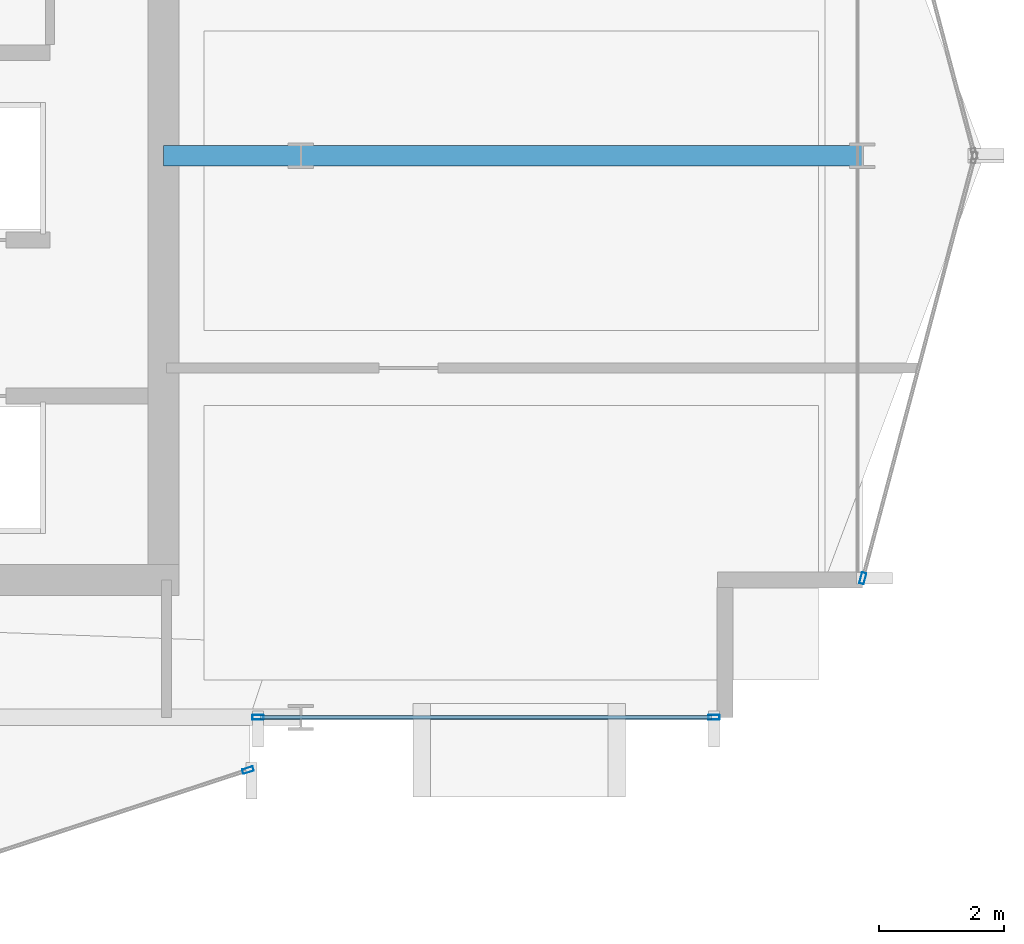
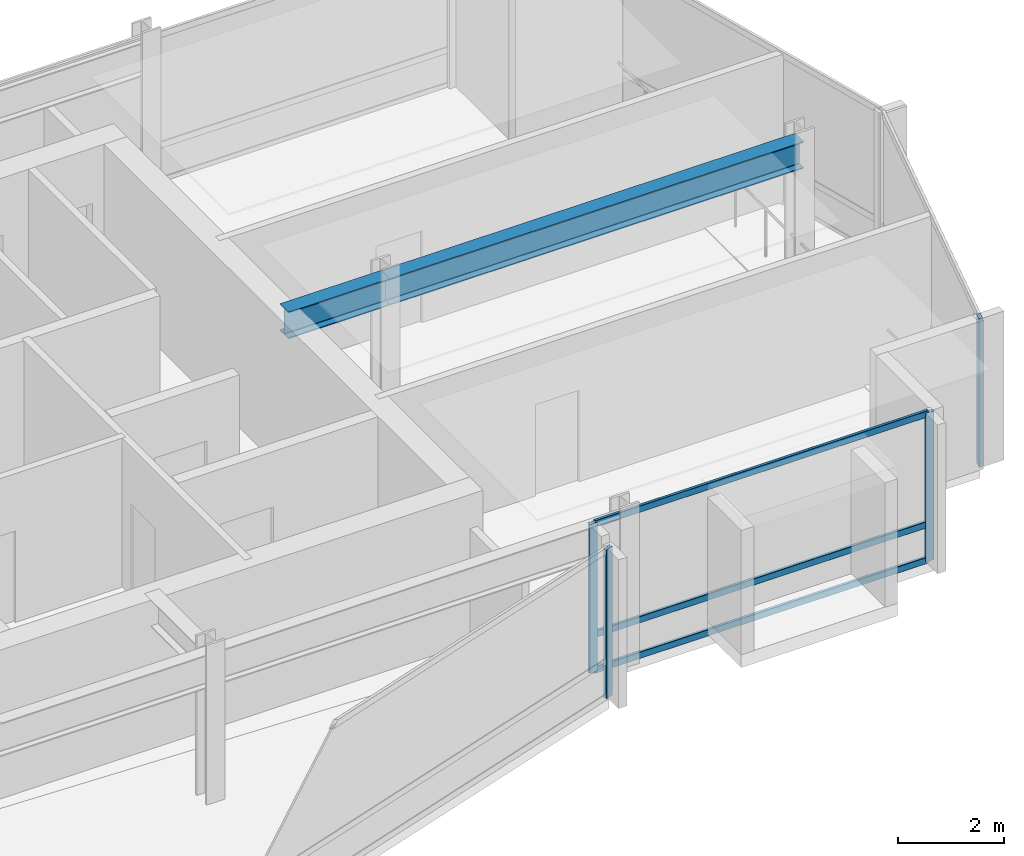
# One storey, part 10 of 27: 7 members, 2 beams, 3 elements without a shape of their own.
"""IFC4 building model written with IfcOpenShell, lengths in metres."""

from ifc_helpers import new_model, si_unit, direction, frame, origin, origin_2d, place, context, subcontext, project, spatial, hollow_rectangle, i_section, extrude, material, layer, layer_set, material_profile, profile_set, type_object, element, aggregate, save


model = new_model("IFC4")

# Units and contexts
model_context = context("Model", 3, precision=1e-05, world=origin(), true_north=direction((0.0, 1.0)))
body_context = subcontext(model_context, "Body", "Model", "MODEL_VIEW")
ifc_project = project(units=[si_unit("LENGTHUNIT", "METRE"), si_unit("AREAUNIT", "SQUARE_METRE"), si_unit("VOLUMEUNIT", "CUBIC_METRE"), si_unit("PLANEANGLEUNIT", "RADIAN"), si_unit("MASSUNIT", "GRAM", prefix="KILO")], contexts=[model_context])

# Site, building, storey
site_placement = place(None, origin())
site = spatial("IfcSite", under=ifc_project, at=site_placement, CompositionType="ELEMENT")
building_placement = place(site_placement, origin())
building = spatial("IfcBuilding", under=site, at=building_placement, Name="Solvaryn Broadcast Tower", CompositionType="ELEMENT")
storey_placement = place(building_placement, frame((0.0, 0.0, 189.0)))
storey = spatial("IfcBuildingStorey", under=building, at=storey_placement, Name="L47", CompositionType="ELEMENT", Elevation=189.0)

# Beams
ifc_material_1 = material(Name="Steel ASTM A992 Grade 50", Category="steel")
ifc_material_profile_1 = material_profile(ifc_material_1, i_section(OverallWidth=0.323974609375, OverallDepth=0.611083984375, WebThickness=0.0126953125, FlangeThickness=0.01904296875, FilletRadius=0.014892578125, at=origin_2d()))
ifc_profile_set_1 = profile_set([ifc_material_profile_1], Name="Steel ASTM A992 Grade 50")
beam_type = type_object("IfcBeamType", Name="BM-B1-W24X104", PredefinedType="BEAM", material=ifc_profile_set_1)
beam_1_placement = place(storey_placement, frame((45.0, 18.0, 3.114501953125), z_axis=(1.0, 0.0, 0.0), x_axis=(0.0, 1.0, 0.0)))
element("IfcBeam", 1, at=beam_1_placement, inside=storey, type_object=beam_type, Name="L47 Primary Beam X (45-54 @ Y=18)", PredefinedType="BEAM", context=body_context, shape_type="SweptSolid", body=[
    extrude(i_section(OverallWidth=0.323974609375, OverallDepth=0.611083984375, WebThickness=0.0126953125, FlangeThickness=0.01904296875, FilletRadius=0.014892578125, at=origin_2d()), origin(), (0.0, 0.0, 1.0), 9.0),
])
beam_2_placement = place(storey_placement, frame((42.800048828125, 18.0, 3.114501953125), z_axis=(1.0, 0.0, 0.0), x_axis=(0.0, 1.0, 0.0)))
element("IfcBeam", 2, at=beam_2_placement, inside=storey, type_object=beam_type, Name="L47 Core Tie Beam CTE3", PredefinedType="BEAM", context=body_context, shape_type="SweptSolid", body=[
    extrude(i_section(OverallWidth=0.323974609375, OverallDepth=0.611083984375, WebThickness=0.0126953125, FlangeThickness=0.01904296875, FilletRadius=0.014892578125, at=origin_2d()), origin(), (0.0, 0.0, 1.0), 2.199951171875),
])

# Curtain wall, member
ifc_material_2 = material(Name="Aluminium and Terracotta Unitised Curtain Wall", Category="masonry")
ifc_layer = layer(ifc_material_2, 0.199951171875)
ifc_layer_set = layer_set([ifc_layer], Name="CW-SYS2-LOWMID")
curtain_wall_type = type_object("IfcCurtainWallType", Name="CW-SYS2-LOWMID", PredefinedType="NOTDEFINED", material=ifc_layer_set)
curtain_wall_1_placement = place(storey_placement, origin())
curtain_wall_1 = element("IfcCurtainWall", 3, at=curtain_wall_1_placement, inside=storey, type_object=curtain_wall_type, Name="L47 Curtain Wall DR4", PredefinedType="NOTDEFINED")
ifc_material_3 = material(Name="Anodised Aluminium 6063-T6", Category="aluminium")
ifc_material_profile_2 = material_profile(ifc_material_3, hollow_rectangle(XDim=0.074951171875, YDim=0.179931640625, WallThickness=0.00390625, InnerFilletRadius=0.00390625, OuterFilletRadius=0.008056640625, at=origin_2d()))
ifc_profile_set_2 = profile_set([ifc_material_profile_2], Name="Anodised Aluminium 6063-T6")
member_type_1 = type_object("IfcMemberType", Name="CW-MUL-180", PredefinedType="MULLION", material=ifc_profile_set_2)
member_1_placement = place(storey_placement, frame((44.153564453125, 8.153564453125, 0.0), z_axis=(0.0, 0.0, 1.0), x_axis=(-0.311558717623, 0.950226902099, 0.0)))
member_1 = element("IfcMember", 4, at=member_1_placement, type_object=member_type_1, Name="CWS2 mullion 2", PredefinedType="MULLION", context=body_context, shape_type="SweptSolid", body=[
    extrude(hollow_rectangle(XDim=0.074951171875, YDim=0.179931640625, WallThickness=0.00390625, InnerFilletRadius=0.00390625, OuterFilletRadius=0.008056640625, at=origin_2d()), origin(), (0.0, 0.0, 1.0), 3.419921875),
])
aggregate(curtain_wall_1, [member_1])

# Curtain wall, members
curtain_wall_2_placement = place(storey_placement, origin())
curtain_wall_2 = element("IfcCurtainWall", 5, at=curtain_wall_2_placement, inside=storey, type_object=curtain_wall_type, Name="L47 Curtain Wall S2", PredefinedType="NOTDEFINED")
member_2_placement = place(storey_placement, frame((44.31201171875, 9.0, 0.0), z_axis=(0.0, 0.0, 1.0), x_axis=(0.0, 1.0, 0.0)))
member_2 = element("IfcMember", 6, at=member_2_placement, type_object=member_type_1, Name="CWS2 mullion 1", PredefinedType="MULLION", context=body_context, shape_type="SweptSolid", body=[
    extrude(hollow_rectangle(XDim=0.074951171875, YDim=0.179931640625, WallThickness=0.00390625, InnerFilletRadius=0.00390625, OuterFilletRadius=0.008056640625, at=origin_2d()), origin(), (0.0, 0.0, 1.0), 3.419921875),
])
member_3_placement = place(storey_placement, frame((51.6201171875, 9.0, 0.0), z_axis=(0.0, 0.0, 1.0), x_axis=(0.0, 1.0, 0.0)))
member_3 = element("IfcMember", 7, at=member_3_placement, type_object=member_type_1, Name="CWS2 mullion 2", PredefinedType="MULLION", context=body_context, shape_type="SweptSolid", body=[
    extrude(hollow_rectangle(XDim=0.074951171875, YDim=0.179931640625, WallThickness=0.00390625, InnerFilletRadius=0.00390625, OuterFilletRadius=0.008056640625, at=origin_2d()), origin(), (0.0, 0.0, 1.0), 3.419921875),
])

# Curtain wall, member
curtain_wall_3_placement = place(storey_placement, origin())
curtain_wall_3 = element("IfcCurtainWall", 8, at=curtain_wall_3_placement, inside=storey, type_object=curtain_wall_type, Name="L47 Curtain Wall ET2", PredefinedType="NOTDEFINED")
member_4_placement = place(storey_placement, frame((54.007568359375, 11.22900390625, 0.0), z_axis=(0.0, 0.0, 1.0), x_axis=(0.966705227863, -0.25589256031, 0.0)))
member_4 = element("IfcMember", 9, at=member_4_placement, type_object=member_type_1, Name="CWS2 mullion 2", PredefinedType="MULLION", context=body_context, shape_type="SweptSolid", body=[
    extrude(hollow_rectangle(XDim=0.074951171875, YDim=0.179931640625, WallThickness=0.00390625, InnerFilletRadius=0.00390625, OuterFilletRadius=0.008056640625, at=origin_2d()), origin(), (0.0, 0.0, 1.0), 3.419921875),
])
aggregate(curtain_wall_3, [member_4])

# Member
ifc_material_4 = material(Name="Anodised Aluminium 6063-T6", Category="aluminium")
ifc_material_profile_3 = material_profile(ifc_material_4, hollow_rectangle(XDim=0.06494140625, YDim=0.14990234375, WallThickness=0.00390625, InnerFilletRadius=0.00390625, OuterFilletRadius=0.008056640625, at=origin_2d()))
ifc_profile_set_3 = profile_set([ifc_material_profile_3], Name="Anodised Aluminium 6063-T6")
member_type_2 = type_object("IfcMemberType", Name="CW-TRN-150", PredefinedType="USERDEFINED", material=ifc_profile_set_3)
member_5_placement = place(storey_placement, frame((44.342041015625, 9.0, 0.030029296875), z_axis=(1.0, 0.0, 0.0), x_axis=(0.0, 1.0, 0.0)))
member_5 = element("IfcMember", 10, at=member_5_placement, type_object=member_type_2, Name="CWS2 transom 1.1", ObjectType="TRANSOM", PredefinedType="USERDEFINED", context=body_context, shape_type="SweptSolid", body=[
    extrude(hollow_rectangle(XDim=0.06494140625, YDim=0.14990234375, WallThickness=0.00390625, InnerFilletRadius=0.00390625, OuterFilletRadius=0.008056640625, at=origin_2d()), origin(), (0.0, 0.0, 1.0), 7.248046875),
])

member_6_placement = place(storey_placement, frame((44.342041015625, 9.0, 0.85009765625), z_axis=(1.0, 0.0, 0.0), x_axis=(0.0, 1.0, 0.0)))
member_6 = element("IfcMember", 11, at=member_6_placement, type_object=member_type_2, Name="CWS2 transom 1.2", ObjectType="TRANSOM", PredefinedType="USERDEFINED", context=body_context, shape_type="SweptSolid", body=[
    extrude(hollow_rectangle(XDim=0.06494140625, YDim=0.14990234375, WallThickness=0.00390625, InnerFilletRadius=0.00390625, OuterFilletRadius=0.008056640625, at=origin_2d()), origin(), (0.0, 0.0, 1.0), 7.248046875),
])

member_7_placement = place(storey_placement, frame((44.342041015625, 9.0, 3.389892578125), z_axis=(1.0, 0.0, 0.0), x_axis=(0.0, 1.0, 0.0)))
member_7 = element("IfcMember", 12, at=member_7_placement, type_object=member_type_2, Name="CWS2 transom 1.3", ObjectType="TRANSOM", PredefinedType="USERDEFINED", context=body_context, shape_type="SweptSolid", body=[
    extrude(hollow_rectangle(XDim=0.06494140625, YDim=0.14990234375, WallThickness=0.00390625, InnerFilletRadius=0.00390625, OuterFilletRadius=0.008056640625, at=origin_2d()), origin(), (0.0, 0.0, 1.0), 7.248046875),
])

aggregate(curtain_wall_2, [member_2, member_3, member_5, member_6, member_7])

save(model, "model.ifc")
